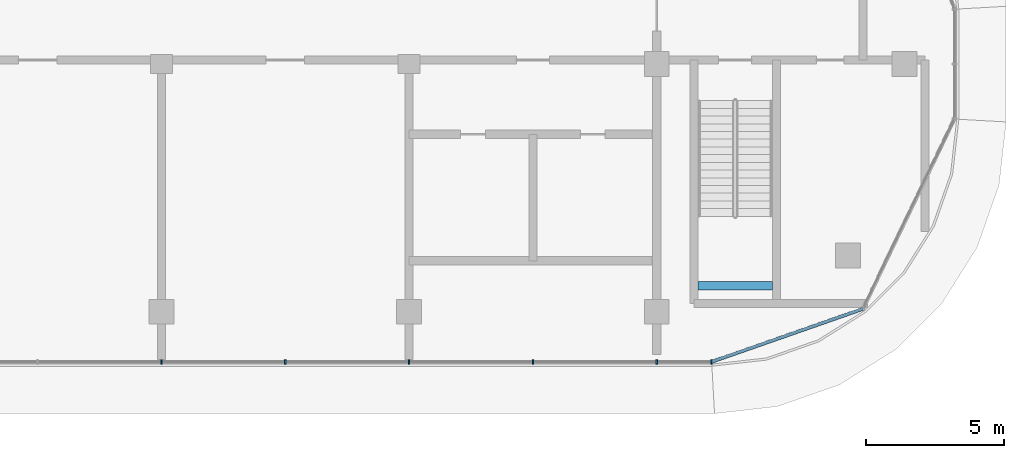
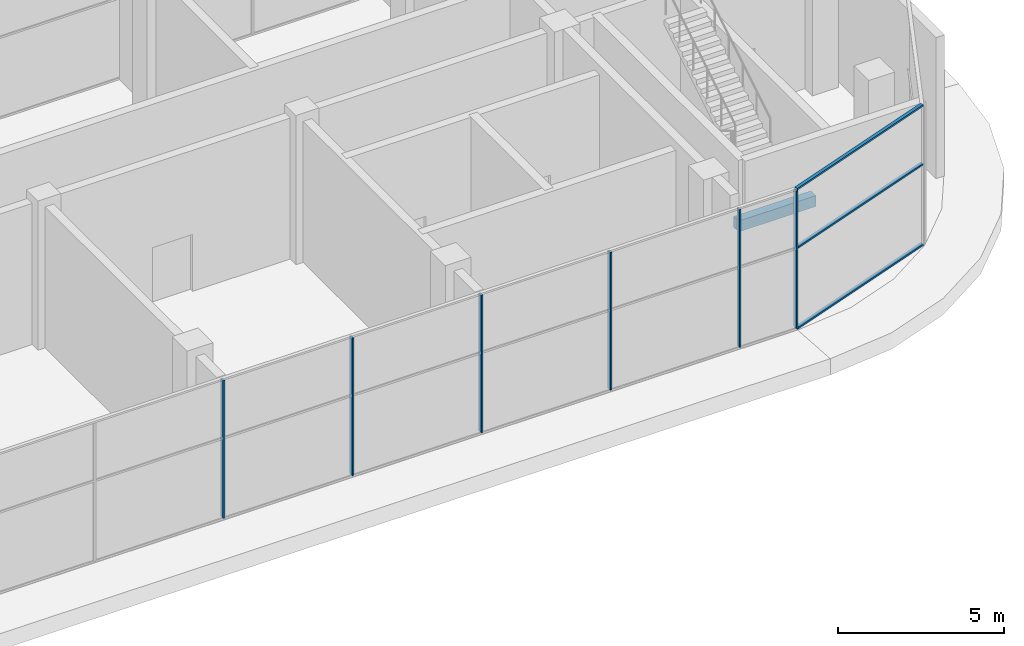
# One storey, part 6 of 23: 9 members, 1 beam, 2 elements without a shape of their own.
"""IFC4 building model written with IfcOpenShell, lengths in metres."""

from ifc_helpers import new_model, si_unit, direction, frame, origin, origin_2d, place, context, subcontext, project, spatial, rectangle, extrude, material, material_profile, profile_set, type_object, element, aggregate, save


model = new_model("IFC4")

# Units and contexts
model_context = context("Model", 3, precision=1e-05, world=origin(), true_north=direction((0.0, 1.0)))
body_context = subcontext(model_context, "Body", "Model", "MODEL_VIEW")
ifc_project = project(units=[si_unit("LENGTHUNIT", "METRE"), si_unit("AREAUNIT", "SQUARE_METRE"), si_unit("VOLUMEUNIT", "CUBIC_METRE"), si_unit("PLANEANGLEUNIT", "RADIAN"), si_unit("MASSUNIT", "GRAM", prefix="KILO")], contexts=[model_context])

# Site, building, storey
site_placement = place(None, origin())
site = spatial("IfcSite", under=ifc_project, at=site_placement, CompositionType="ELEMENT")
building_placement = place(site_placement, origin())
building = spatial("IfcBuilding", under=site, at=building_placement, Name="Ogive Portal Towers", CompositionType="ELEMENT")
storey_placement = place(building_placement, frame((0.0, 0.0, 249.39990234375)))
storey = spatial("IfcBuildingStorey", under=building, at=storey_placement, Name="L62", CompositionType="ELEMENT", Elevation=249.39990234375)

# Beam
ifc_material_1 = material(Name="Concrete C40/50", Category="concrete")
ifc_material_profile_1 = material_profile(ifc_material_1, rectangle(XDim=0.300048828125, YDim=0.39990234375, at=origin_2d()), Name="RC 300x400")
ifc_profile_set_1 = profile_set([ifc_material_profile_1], Name="Concrete C40/50")
beam_type = type_object("IfcBeamType", Name="BEAM RC 300x400", PredefinedType="BEAM", material=ifc_profile_set_1)
beam_placement = place(storey_placement, frame((87.0, 22.449951171875, 2.35009765625), z_axis=(1.0, 0.0, 0.0), x_axis=(0.0, 1.0, 0.0)))
element("IfcBeam", 1, at=beam_placement, inside=storey, type_object=beam_type, Name="Landing beam L62", PredefinedType="BEAM", context=body_context, shape_type="SweptSolid", body=[
    extrude(rectangle(XDim=0.300048828125, YDim=0.39990234375, at=origin_2d()), origin(), (0.0, 0.0, 1.0), 2.699951171875),
])

# Curtain wall, members
ifc_material_2 = material(Name="Glass, clear low-iron insulated glazing", Category="glass")
curtain_wall_type = type_object("IfcCurtainWallType", Name="CW OBSERVATION WALL", PredefinedType="NOTDEFINED", material=ifc_material_2)
curtain_wall_1_placement = place(storey_placement, origin())
curtain_wall_1 = element("IfcCurtainWall", 2, at=curtain_wall_1_placement, inside=storey, type_object=curtain_wall_type, Name="A:L62:f07:cw0", PredefinedType="NOTDEFINED")
ifc_material_3 = material(Name="Aluminium 6063 anodised", Category="aluminium")
ifc_material_profile_2 = material_profile(ifc_material_3, rectangle(XDim=0.159912109375, YDim=0.06005859375, at=origin_2d()), Name="AL 60x160")
ifc_profile_set_2 = profile_set([ifc_material_profile_2], Name="Aluminium 6063 anodised")
member_type_1 = type_object("IfcMemberType", Name="CW MULLION 60x160", PredefinedType="MULLION", material=ifc_profile_set_2)
member_1_placement = place(storey_placement, frame((67.5, 19.679931640625, 0.06005859375), z_axis=(0.0, 0.0, 1.0), x_axis=(0.0, 1.0, 0.0)))
member_1 = element("IfcMember", 3, at=member_1_placement, type_object=member_type_1, Name="mullion", PredefinedType="MULLION", context=body_context, shape_type="SweptSolid", body=[
    extrude(rectangle(XDim=0.159912109375, YDim=0.06005859375, at=origin_2d()), origin(), (0.0, 0.0, 1.0), 5.080078125),
])
member_2_placement = place(storey_placement, frame((72.0, 19.679931640625, 0.06005859375), z_axis=(0.0, 0.0, 1.0), x_axis=(0.0, 1.0, 0.0)))
member_2 = element("IfcMember", 4, at=member_2_placement, type_object=member_type_1, Name="mullion", PredefinedType="MULLION", context=body_context, shape_type="SweptSolid", body=[
    extrude(rectangle(XDim=0.159912109375, YDim=0.06005859375, at=origin_2d()), origin(), (0.0, 0.0, 1.0), 5.080078125),
])
member_3_placement = place(storey_placement, frame((76.5, 19.679931640625, 0.06005859375), z_axis=(0.0, 0.0, 1.0), x_axis=(0.0, 1.0, 0.0)))
member_3 = element("IfcMember", 5, at=member_3_placement, type_object=member_type_1, Name="mullion", PredefinedType="MULLION", context=body_context, shape_type="SweptSolid", body=[
    extrude(rectangle(XDim=0.159912109375, YDim=0.06005859375, at=origin_2d()), origin(), (0.0, 0.0, 1.0), 5.080078125),
])
member_4_placement = place(storey_placement, frame((81.0, 19.679931640625, 0.06005859375), z_axis=(0.0, 0.0, 1.0), x_axis=(0.0, 1.0, 0.0)))
member_4 = element("IfcMember", 6, at=member_4_placement, type_object=member_type_1, Name="mullion", PredefinedType="MULLION", context=body_context, shape_type="SweptSolid", body=[
    extrude(rectangle(XDim=0.159912109375, YDim=0.06005859375, at=origin_2d()), origin(), (0.0, 0.0, 1.0), 5.080078125),
])
member_5_placement = place(storey_placement, frame((85.5, 19.679931640625, 0.06005859375), z_axis=(0.0, 0.0, 1.0), x_axis=(0.0, 1.0, 0.0)))
member_5 = element("IfcMember", 7, at=member_5_placement, type_object=member_type_1, Name="mullion", PredefinedType="MULLION", context=body_context, shape_type="SweptSolid", body=[
    extrude(rectangle(XDim=0.159912109375, YDim=0.06005859375, at=origin_2d()), origin(), (0.0, 0.0, 1.0), 5.080078125),
])
member_6_placement = place(storey_placement, frame((87.486328125, 19.679931640625, 0.06005859375), z_axis=(0.0, 0.0, 1.0), x_axis=(0.0, 1.0, 0.0)))
member_6 = element("IfcMember", 8, at=member_6_placement, type_object=member_type_1, Name="mullion", PredefinedType="MULLION", context=body_context, shape_type="SweptSolid", body=[
    extrude(rectangle(XDim=0.159912109375, YDim=0.06005859375, at=origin_2d()), origin(), (0.0, 0.0, 1.0), 5.080078125),
])
aggregate(curtain_wall_1, [member_1, member_2, member_3, member_4, member_5, member_6])

curtain_wall_2_placement = place(storey_placement, origin())
curtain_wall_2 = element("IfcCurtainWall", 9, at=curtain_wall_2_placement, inside=storey, type_object=curtain_wall_type, Name="A:L62:f08:cwa", PredefinedType="NOTDEFINED")
ifc_material_profile_3 = material_profile(ifc_material_3, rectangle(XDim=0.1201171875, YDim=0.06005859375, at=origin_2d()), Name="AL 120x60")
ifc_profile_set_3 = profile_set([ifc_material_profile_3], Name="Aluminium 6063 anodised")
member_type_2 = type_object("IfcMemberType", Name="CW TRANSOM 60x120", PredefinedType="USERDEFINED", material=ifc_profile_set_3)
member_7_placement = place(storey_placement, frame((87.486328125, 19.679931640625, 0.030029296875), z_axis=(0.943886414572, 0.330270247504, 0.0), x_axis=(-0.330270247504, 0.943886414572, 0.0)))
member_7 = element("IfcMember", 10, at=member_7_placement, type_object=member_type_2, Name="transom", ObjectType="TRANSOM", PredefinedType="USERDEFINED", context=body_context, shape_type="SweptSolid", body=[
    extrude(rectangle(XDim=0.1201171875, YDim=0.06005859375, at=origin_2d()), origin(), (0.0, 0.0, 1.0), 5.83251953125),
])
member_8_placement = place(storey_placement, frame((87.486328125, 19.679931640625, 3.0), z_axis=(0.943886414572, 0.330270247504, 0.0), x_axis=(-0.330270247504, 0.943886414572, 0.0)))
member_8 = element("IfcMember", 11, at=member_8_placement, type_object=member_type_2, Name="transom", ObjectType="TRANSOM", PredefinedType="USERDEFINED", context=body_context, shape_type="SweptSolid", body=[
    extrude(rectangle(XDim=0.1201171875, YDim=0.06005859375, at=origin_2d()), origin(), (0.0, 0.0, 1.0), 5.83251953125),
])
member_9_placement = place(storey_placement, frame((87.486328125, 19.679931640625, 5.170166015625), z_axis=(0.943886414572, 0.330270247504, 0.0), x_axis=(-0.330270247504, 0.943886414572, 0.0)))
member_9 = element("IfcMember", 12, at=member_9_placement, type_object=member_type_2, Name="transom", ObjectType="TRANSOM", PredefinedType="USERDEFINED", context=body_context, shape_type="SweptSolid", body=[
    extrude(rectangle(XDim=0.1201171875, YDim=0.06005859375, at=origin_2d()), origin(), (0.0, 0.0, 1.0), 5.83251953125),
])
aggregate(curtain_wall_2, [member_7, member_8, member_9])

save(model, "model.ifc")
